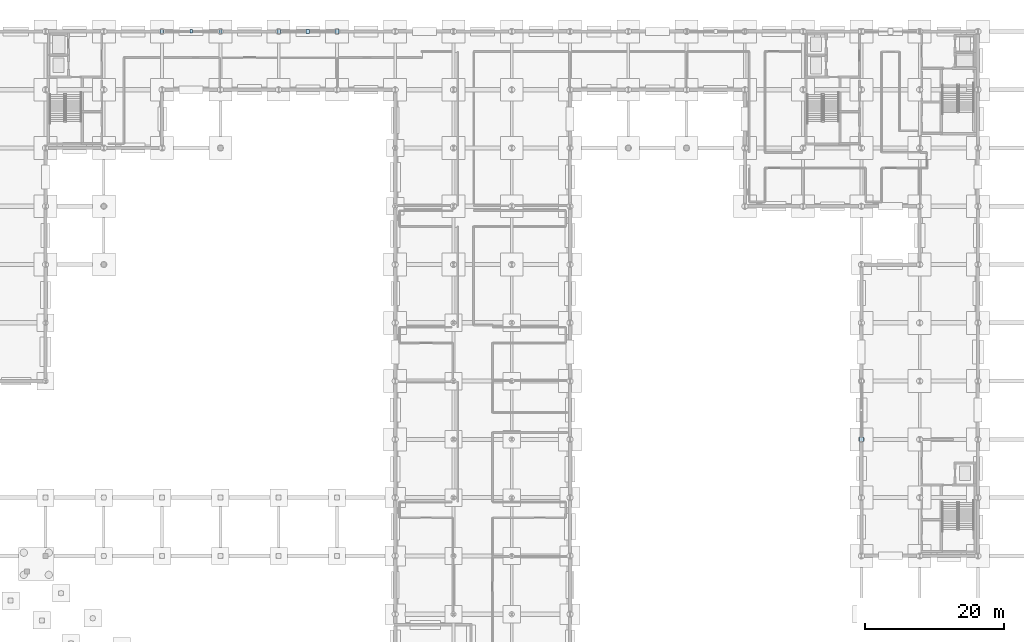
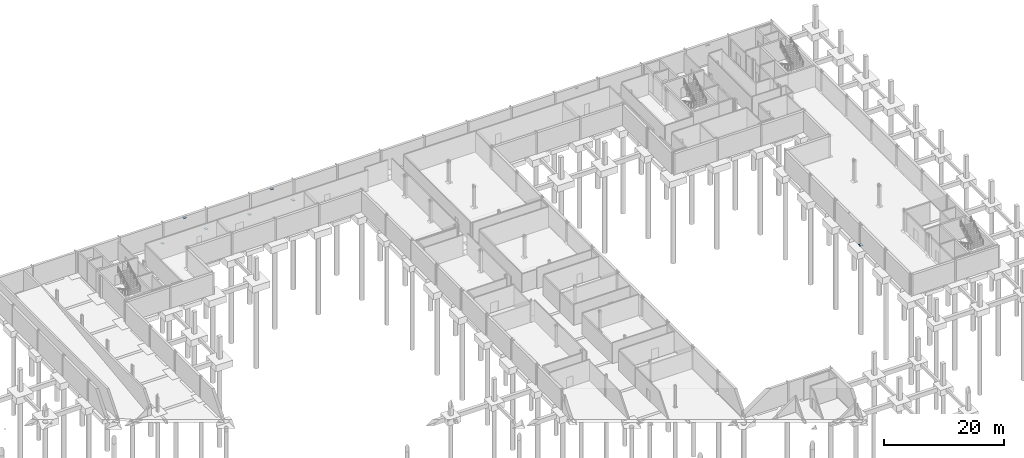
# One storey, part 24 of 43: 7 plates.
"""IFC4 building model written with IfcOpenShell, lengths in metres."""

from ifc_helpers import new_model, si_unit, direction, frame, origin, origin_2d, place, context, subcontext, project, spatial, rectangle, extrude, material, layer, layer_set, type_object, element, save


model = new_model("IFC4")

# Units and contexts
model_context = context("Model", 3, precision=1e-05, world=origin(), true_north=direction((0.0, 1.0)))
body_context = subcontext(model_context, "Body", "Model", "MODEL_VIEW")
ifc_project = project(units=[si_unit("LENGTHUNIT", "METRE"), si_unit("AREAUNIT", "SQUARE_METRE"), si_unit("VOLUMEUNIT", "CUBIC_METRE"), si_unit("PLANEANGLEUNIT", "RADIAN"), si_unit("MASSUNIT", "GRAM", prefix="KILO")], contexts=[model_context])

# Site, building, storey
site_placement = place(None, origin())
site = spatial("IfcSite", under=ifc_project, at=site_placement, CompositionType="ELEMENT")
building_placement = place(site_placement, origin())
building = spatial("IfcBuilding", under=site, at=building_placement, Name="Mersafa Astral City Hall", CompositionType="ELEMENT")
storey_placement = place(building_placement, frame((0.0, 0.0, -4.5)))
storey = spatial("IfcBuildingStorey", under=building, at=storey_placement, Name="B1", CompositionType="ELEMENT", Elevation=-4.5)

# Plates
ifc_material = material(Name="Steel S355", Category="steel")
ifc_layer_1 = layer(ifc_material, 0.02294921875, Name="Steel S355")
ifc_layer_set_1 = layer_set([ifc_layer_1], Name="Steel S355 — STR-PLT-NP-10")
plate_type_1 = type_object("IfcPlateType", Name="STR-PLT-NP-10", PredefinedType="SHEET", material=ifc_layer_set_1)
plate_1_placement = place(storey_placement, frame((159.60009765625, 67.197998046875, 0.108642578125), z_axis=(0.0, 0.0, 1.0), x_axis=(1.0, 0.0, 0.0)))
element("IfcPlate", 1, at=plate_1_placement, inside=storey, type_object=plate_type_1, Name="B1 Structural steel brace gusset plate NP-10", PredefinedType="SHEET", context=body_context, shape_type="SweptSolid", body=[
    extrude(rectangle(XDim=0.5849609375, YDim=0.669921875, at=origin_2d()), origin(), (0.0, 0.0, 1.0), 0.02294921875),
])
ifc_layer_2 = layer(ifc_material, 0.032958984375, Name="Steel S355")
ifc_layer_set_2 = layer_set([ifc_layer_2], Name="Steel S355 — STR-PLT-NP-20")
plate_type_2 = type_object("IfcPlateType", Name="STR-PLT-NP-20", PredefinedType="SHEET", material=ifc_layer_set_2)
plate_2_placement = place(storey_placement, frame((63.0, 126.0, 3.88330078125), z_axis=(0.0, 0.0, 1.0), x_axis=(1.0, 0.0, 0.0)))
element("IfcPlate", 2, at=plate_2_placement, inside=storey, type_object=plate_type_2, Name="B1 Structural steel brace gusset plate NP-20", PredefinedType="SHEET", context=body_context, shape_type="SweptSolid", body=[
    extrude(rectangle(XDim=0.409912109375, YDim=0.510009765625, at=origin_2d()), origin(), (0.0, 0.0, 1.0), 0.032958984375),
])
ifc_layer_3 = layer(ifc_material, 0.013916015625, Name="Steel S355")
ifc_layer_set_3 = layer_set([ifc_layer_3], Name="Steel S355 — STR-PLT-NP-21")
plate_type_3 = type_object("IfcPlateType", Name="STR-PLT-NP-21", PredefinedType="SHEET", material=ifc_layer_set_3)
plate_3_placement = place(storey_placement, frame((58.798095703125, 126.0, 0.11328125), z_axis=(0.0, 0.0, 1.0), x_axis=(1.0, 0.0, 0.0)))
element("IfcPlate", 3, at=plate_3_placement, inside=storey, type_object=plate_type_3, Name="B1 Structural steel brace gusset plate NP-21", PredefinedType="SHEET", context=body_context, shape_type="SweptSolid", body=[
    extrude(rectangle(XDim=0.43505859375, YDim=0.5400390625, at=origin_2d()), origin(), (0.0, 0.0, 1.0), 0.013916015625),
])
ifc_layer_4 = layer(ifc_material, 0.014892578125, Name="Steel S355")
ifc_layer_set_4 = layer_set([ifc_layer_4], Name="Steel S355 — STR-PLT-NP-22")
plate_type_4 = type_object("IfcPlateType", Name="STR-PLT-NP-22", PredefinedType="SHEET", material=ifc_layer_set_4)
plate_4_placement = place(storey_placement, frame((67.201904296875, 126.0, 0.11279296875), z_axis=(0.0, 0.0, 1.0), x_axis=(1.0, 0.0, 0.0)))
element("IfcPlate", 4, at=plate_4_placement, inside=storey, type_object=plate_type_4, Name="B1 Structural steel brace gusset plate NP-22", PredefinedType="SHEET", context=body_context, shape_type="SweptSolid", body=[
    extrude(rectangle(XDim=0.4599609375, YDim=0.570068359375, at=origin_2d()), origin(), (0.0, 0.0, 1.0), 0.014892578125),
])
ifc_layer_5 = layer(ifc_material, 0.01904296875, Name="Steel S355")
ifc_layer_set_5 = layer_set([ifc_layer_5], Name="Steel S355 — STR-PLT-NP-6")
plate_type_5 = type_object("IfcPlateType", Name="STR-PLT-NP-6", PredefinedType="SHEET", material=ifc_layer_set_5)
plate_5_placement = place(storey_placement, frame((79.800048828125, 126.0, 3.890380859375), z_axis=(0.0, 0.0, 1.0), x_axis=(1.0, 0.0, 0.0)))
element("IfcPlate", 5, at=plate_5_placement, inside=storey, type_object=plate_type_5, Name="B1 Structural steel brace gusset plate NP-6", PredefinedType="SHEET", context=body_context, shape_type="SweptSolid", body=[
    extrude(rectangle(XDim=0.485107421875, YDim=0.550048828125, at=origin_2d()), origin(), (0.0, 0.0, 1.0), 0.01904296875),
])
ifc_layer_6 = layer(ifc_material, 0.02001953125, Name="Steel S355")
ifc_layer_set_6 = layer_set([ifc_layer_6], Name="Steel S355 — STR-PLT-NP-7")
plate_type_6 = type_object("IfcPlateType", Name="STR-PLT-NP-7", PredefinedType="SHEET", material=ifc_layer_set_6)
plate_6_placement = place(storey_placement, frame((75.597900390625, 126.0, 0.110107421875), z_axis=(0.0, 0.0, 1.0), x_axis=(1.0, 0.0, 0.0)))
element("IfcPlate", 6, at=plate_6_placement, inside=storey, type_object=plate_type_6, Name="B1 Structural steel brace gusset plate NP-7", PredefinedType="SHEET", context=body_context, shape_type="SweptSolid", body=[
    extrude(rectangle(XDim=0.510009765625, YDim=0.580078125, at=origin_2d()), origin(), (0.0, 0.0, 1.0), 0.02001953125),
])
ifc_layer_7 = layer(ifc_material, 0.02099609375, Name="Steel S355")
ifc_layer_set_7 = layer_set([ifc_layer_7], Name="Steel S355 — STR-PLT-NP-8")
plate_type_7 = type_object("IfcPlateType", Name="STR-PLT-NP-8", PredefinedType="SHEET", material=ifc_layer_set_7)
plate_7_placement = place(storey_placement, frame((84.001953125, 126.0, 0.109619140625), z_axis=(0.0, 0.0, 1.0), x_axis=(1.0, 0.0, 0.0)))
element("IfcPlate", 7, at=plate_7_placement, inside=storey, type_object=plate_type_7, Name="B1 Structural steel brace gusset plate NP-8", PredefinedType="SHEET", context=body_context, shape_type="SweptSolid", body=[
    extrude(rectangle(XDim=0.534912109375, YDim=0.610107421875, at=origin_2d()), origin(), (0.0, 0.0, 1.0), 0.02099609375),
])

save(model, "model.ifc")
